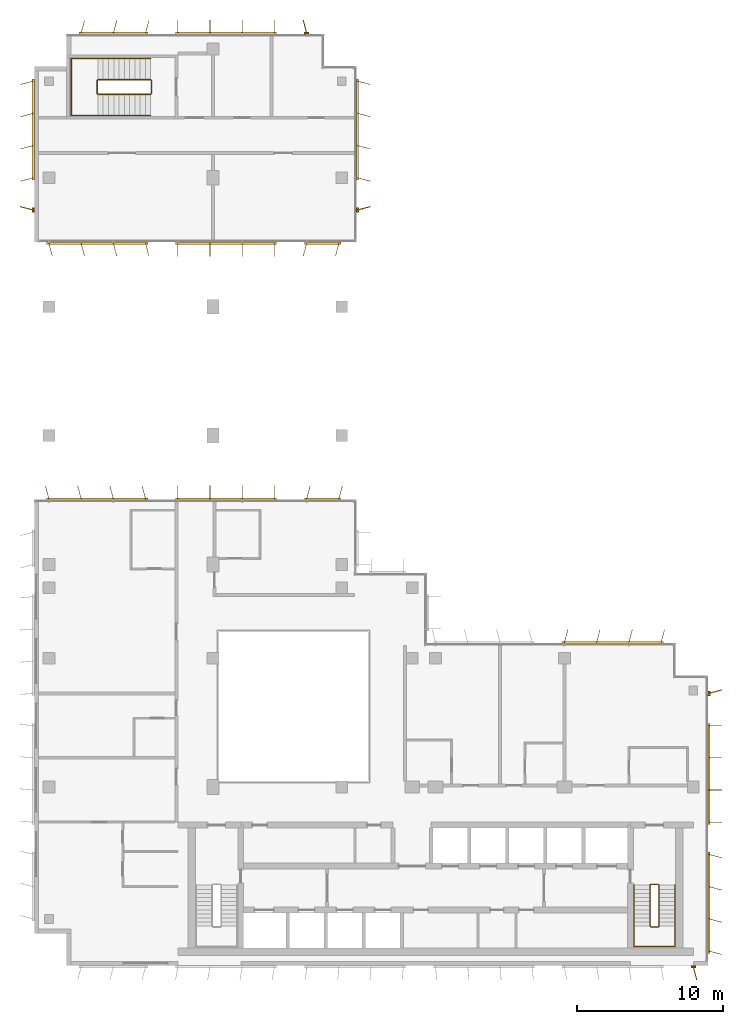
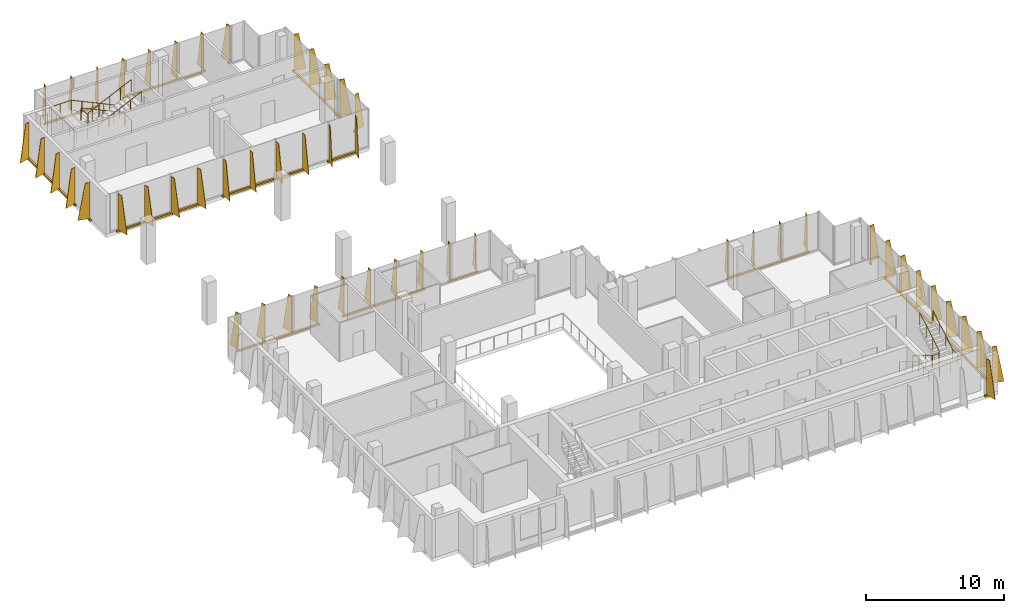
# One storey, part 14 of 14: 18 shading devices, 4 railings.
"""IFC4 building model written with IfcOpenShell, lengths in metres."""

from ifc_helpers import new_model, si_unit, direction, frame, origin, origin_2d, place, context, subcontext, project, spatial, polyline, rectangle, circle, outline, extrude, source, transform, mapped, material, layer, layer_set, type_object, element, save


model = new_model("IFC4")

# Units and contexts
model_context = context("Model", 3, precision=1e-05, world=origin(), true_north=direction((0.0, 1.0)))
body_context = subcontext(model_context, "Body", "Model", "MODEL_VIEW")
ifc_project = project(units=[si_unit("LENGTHUNIT", "METRE"), si_unit("AREAUNIT", "SQUARE_METRE"), si_unit("VOLUMEUNIT", "CUBIC_METRE"), si_unit("PLANEANGLEUNIT", "RADIAN"), si_unit("MASSUNIT", "GRAM", prefix="KILO")], contexts=[model_context])

# Site, building, storey
site_placement = place(None, origin())
site = spatial("IfcSite", under=ifc_project, at=site_placement, CompositionType="ELEMENT")
building_placement = place(site_placement, origin())
building = spatial("IfcBuilding", under=site, at=building_placement, Name="Kemantara Hotel Tower", CompositionType="ELEMENT")
storey_placement = place(building_placement, frame((0.0, 0.0, 245.0)))
storey = spatial("IfcBuildingStorey", under=building, at=storey_placement, Name="L61", CompositionType="ELEMENT", Elevation=245.0)

# Railings
ifc_material_1 = material(Name="Stainless steel balustrade", Category="steel")
railing_type_1 = type_object("IfcRailingType", Name="Stair guard 1100 mm", PredefinedType="GUARDRAIL", material=ifc_material_1)
railing_1_placement = place(storey_placement, frame((42.64990234375, 5.5, 3.699951171875)))
element("IfcRailing", 1, at=railing_1_placement, inside=storey, type_object=railing_type_1, Name="L61 ST2 stair guard 1", PredefinedType="GUARDRAIL", context=body_context, shape_type="SweptSolid", body=[
    extrude(circle(Radius=0.02392578125, at=origin_2d()), frame((0.0, 0.0, 1.076171875), z_axis=(0.0, -0.857242210791, -0.514913383045), x_axis=(1.0, 0.0, 0.0)), (0.0, 0.0, 1.0), 3.266357421875),
    extrude(circle(Radius=0.02392578125, at=origin_2d()), frame((0.0, -2.800048828125, -0.60595703125), z_axis=(-0.273343290215, -0.274683208305, -0.921863645432), x_axis=(0.708833529934, -0.705375805398, 0.0)), (0.0, 0.0, 1.0), 0.18212890625),
    extrude(circle(Radius=0.02392578125, at=origin_2d()), frame((-0.0498046875, -2.85009765625, -0.77392578125), z_axis=(-1.0, 0.0, 0.0), x_axis=(0.0, -1.0, 0.0)), (0.0, 0.0, 1.0), 0.5),
    extrude(circle(Radius=0.02392578125, at=origin_2d()), frame((-0.5498046875, -2.85009765625, -0.77392578125), z_axis=(-0.707106781187, 0.707106781187, 0.0), x_axis=(-0.707106781187, -0.707106781187, 0.0)), (0.0, 0.0, 1.0), 0.07080078125),
    extrude(circle(Radius=0.02392578125, at=origin_2d()), frame((-0.599853515625, -2.800048828125, -0.77392578125), z_axis=(0.0, 0.857242210791, -0.514913383045), x_axis=(-1.0, 0.0, 0.0)), (0.0, 0.0, 1.0), 3.266357421875),
    extrude(circle(Radius=0.02392578125, at=origin_2d()), frame((-0.599853515625, 0.0, -2.45556640625), z_axis=(0.274243871929, 0.274243871929, -0.92172696468), x_axis=(-0.707106781187, 0.707106781187, 0.0)), (0.0, 0.0, 1.0), 0.1826171875),
    extrude(circle(Radius=0.02392578125, at=origin_2d()), frame((-0.5498046875, 0.050048828125, -2.6240234375), z_axis=(1.0, 0.0, 0.0), x_axis=(0.0, 1.0, 0.0)), (0.0, 0.0, 1.0), 0.5),
    extrude(circle(Radius=0.02099609375, at=origin_2d()), origin(), (0.0, 0.0, 1.0), 1.052001953125),
    extrude(circle(Radius=0.02099609375, at=origin_2d()), frame((0.0, -0.933349609375, -0.560546875)), (0.0, 0.0, 1.0), 1.052001953125),
    extrude(circle(Radius=0.02099609375, at=origin_2d()), frame((0.0, -1.86669921875, -1.121337890625)), (0.0, 0.0, 1.0), 1.052001953125),
    extrude(circle(Radius=0.02099609375, at=origin_2d()), frame((0.0, -2.800048828125, -1.681884765625)), (0.0, 0.0, 1.0), 1.052001953125),
    extrude(circle(Radius=0.02099609375, at=origin_2d()), frame((-0.0498046875, -2.85009765625, -1.849853515625)), (0.0, 0.0, 1.0), 1.052001953125),
    extrude(circle(Radius=0.02099609375, at=origin_2d()), frame((-0.5498046875, -2.85009765625, -1.849853515625)), (0.0, 0.0, 1.0), 1.052001953125),
    extrude(circle(Radius=0.02099609375, at=origin_2d()), frame((-0.599853515625, -2.800048828125, -1.849853515625)), (0.0, 0.0, 1.0), 1.052001953125),
    extrude(circle(Radius=0.02099609375, at=origin_2d()), frame((-0.599853515625, -1.86669921875, -2.410400390625)), (0.0, 0.0, 1.0), 1.052001953125),
    extrude(circle(Radius=0.02099609375, at=origin_2d()), frame((-0.599853515625, -0.933349609375, -2.97119140625)), (0.0, 0.0, 1.0), 1.052001953125),
    extrude(circle(Radius=0.02099609375, at=origin_2d()), frame((-0.599853515625, 0.0, -3.53173828125)), (0.0, 0.0, 1.0), 1.052001953125),
    extrude(circle(Radius=0.02099609375, at=origin_2d()), frame((-0.5498046875, 0.050048828125, -3.699951171875)), (0.0, 0.0, 1.0), 1.052001953125),
    extrude(circle(Radius=0.02099609375, at=origin_2d()), frame((-0.0498046875, 0.050048828125, -3.699951171875)), (0.0, 0.0, 1.0), 1.052001953125),
])
railing_2_placement = place(storey_placement, frame((7.949951171875, 59.5, 3.699951171875)))
element("IfcRailing", 2, at=railing_2_placement, inside=storey, type_object=railing_type_1, Name="L61 ST4 stair guard 1", PredefinedType="GUARDRAIL", context=body_context, shape_type="SweptSolid", body=[
    extrude(circle(Radius=0.02392578125, at=origin_2d()), frame((0.0, 0.0, 1.076171875), z_axis=(-0.905994681025, 0.0, -0.423289071386), x_axis=(0.0, -1.0, 0.0)), (0.0, 0.0, 1.0), 3.973388671875),
    extrude(circle(Radius=0.02392578125, at=origin_2d()), frame((-3.599853515625, 0.0, -0.60595703125), z_axis=(-0.274582412415, 0.274582412415, -0.921525364591), x_axis=(-0.707106781187, -0.707106781187, 0.0)), (0.0, 0.0, 1.0), 0.182373046875),
    extrude(circle(Radius=0.02392578125, at=origin_2d()), frame((-3.64990234375, 0.050048828125, -0.77392578125), z_axis=(0.0, 1.0, 0.0), x_axis=(-1.0, 0.0, 0.0)), (0.0, 0.0, 1.0), 0.89990234375),
    extrude(circle(Radius=0.02392578125, at=origin_2d()), frame((-3.64990234375, 0.949951171875, -0.77392578125), z_axis=(0.707106781187, 0.707106781187, 0.0), x_axis=(-0.707106781187, 0.707106781187, 0.0)), (0.0, 0.0, 1.0), 0.07080078125),
    extrude(circle(Radius=0.02392578125, at=origin_2d()), frame((-3.599853515625, 1.0, -0.77392578125), z_axis=(0.905994681025, 0.0, -0.423289071386), x_axis=(0.0, 1.0, 0.0)), (0.0, 0.0, 1.0), 3.973388671875),
    extrude(circle(Radius=0.02392578125, at=origin_2d()), frame((0.0, 1.0, -2.45556640625), z_axis=(0.274243871929, -0.274243871929, -0.92172696468), x_axis=(0.707106781187, 0.707106781187, 0.0)), (0.0, 0.0, 1.0), 0.1826171875),
    extrude(circle(Radius=0.02392578125, at=origin_2d()), frame((0.050048828125, 0.949951171875, -2.6240234375), z_axis=(0.0, -1.0, 0.0), x_axis=(1.0, 0.0, 0.0)), (0.0, 0.0, 1.0), 0.89990234375),
    extrude(circle(Radius=0.02099609375, at=origin_2d()), origin(), (0.0, 0.0, 1.0), 1.052001953125),
    extrude(circle(Radius=0.02099609375, at=origin_2d()), frame((-0.89990234375, 0.0, -0.42041015625)), (0.0, 0.0, 1.0), 1.052001953125),
    extrude(circle(Radius=0.02099609375, at=origin_2d()), frame((-1.7998046875, 0.0, -0.8408203125)), (0.0, 0.0, 1.0), 1.052001953125),
    extrude(circle(Radius=0.02099609375, at=origin_2d()), frame((-2.699951171875, 0.0, -1.261474609375)), (0.0, 0.0, 1.0), 1.052001953125),
    extrude(circle(Radius=0.02099609375, at=origin_2d()), frame((-3.599853515625, 0.0, -1.681884765625)), (0.0, 0.0, 1.0), 1.052001953125),
    extrude(circle(Radius=0.02099609375, at=origin_2d()), frame((-3.64990234375, 0.050048828125, -1.849853515625)), (0.0, 0.0, 1.0), 1.052001953125),
    extrude(circle(Radius=0.02099609375, at=origin_2d()), frame((-3.64990234375, 0.949951171875, -1.849853515625)), (0.0, 0.0, 1.0), 1.052001953125),
    extrude(circle(Radius=0.02099609375, at=origin_2d()), frame((-3.599853515625, 1.0, -1.849853515625)), (0.0, 0.0, 1.0), 1.052001953125),
    extrude(circle(Radius=0.02099609375, at=origin_2d()), frame((-2.699951171875, 1.0, -2.270263671875)), (0.0, 0.0, 1.0), 1.052001953125),
    extrude(circle(Radius=0.02099609375, at=origin_2d()), frame((-1.7998046875, 1.0, -2.69091796875)), (0.0, 0.0, 1.0), 1.052001953125),
    extrude(circle(Radius=0.02099609375, at=origin_2d()), frame((-0.89990234375, 1.0, -3.111328125)), (0.0, 0.0, 1.0), 1.052001953125),
    extrude(circle(Radius=0.02099609375, at=origin_2d()), frame((0.0, 1.0, -3.53173828125)), (0.0, 0.0, 1.0), 1.052001953125),
    extrude(circle(Radius=0.02099609375, at=origin_2d()), frame((0.050048828125, 0.949951171875, -3.699951171875)), (0.0, 0.0, 1.0), 1.052001953125),
    extrude(circle(Radius=0.02099609375, at=origin_2d()), frame((0.050048828125, 0.050048828125, -3.699951171875)), (0.0, 0.0, 1.0), 1.052001953125),
])
railing_type_2 = type_object("IfcRailingType", Name="Stair handrail 900 mm", PredefinedType="HANDRAIL", material=ifc_material_1)
railing_3_placement = place(storey_placement, frame((40.949951171875, 5.5, 0.168212890625)))
element("IfcRailing", 3, at=railing_3_placement, inside=storey, type_object=railing_type_2, Name="L61 ST2 stair handrail 1", PredefinedType="HANDRAIL", context=body_context, shape_type="SweptSolid", body=[
    extrude(circle(Radius=0.02392578125, at=origin_2d()), frame((0.0, 0.0, 0.8759765625), z_axis=(0.0, -0.857242210791, 0.514913383045), x_axis=(1.0, 0.0, 0.0)), (0.0, 0.0, 1.0), 3.266357421875),
    extrude(circle(Radius=0.02392578125, at=origin_2d()), frame((0.0, -2.800048828125, 2.5576171875), z_axis=(0.0, -1.0, 0.0), x_axis=(1.0, 0.0, 0.0)), (0.0, 0.0, 1.0), 1.3798828125),
    extrude(circle(Radius=0.02392578125, at=origin_2d()), frame((0.0, -4.179931640625, 2.5576171875), z_axis=(0.998205573864, 0.0, 0.059880149518), x_axis=(0.0, 1.0, 0.0)), (0.0, 0.0, 1.0), 2.80517578125),
    extrude(circle(Radius=0.02392578125, at=origin_2d()), frame((2.800048828125, -4.179931640625, 2.7255859375), z_axis=(0.0, 1.0, 0.0), x_axis=(-1.0, 0.0, 0.0)), (0.0, 0.0, 1.0), 1.3798828125),
    extrude(circle(Radius=0.02392578125, at=origin_2d()), frame((2.800048828125, -2.800048828125, 2.7255859375), z_axis=(0.0, 0.857242210791, 0.514913383045), x_axis=(-1.0, 0.0, 0.0)), (0.0, 0.0, 1.0), 3.266357421875),
    extrude(circle(Radius=0.02099609375, at=origin_2d()), origin(), (0.0, 0.0, 1.0), 0.851806640625),
    extrude(circle(Radius=0.02099609375, at=origin_2d()), frame((0.0, -0.933349609375, 0.560546875)), (0.0, 0.0, 1.0), 0.851806640625),
    extrude(circle(Radius=0.02099609375, at=origin_2d()), frame((0.0, -1.86669921875, 1.121337890625)), (0.0, 0.0, 1.0), 0.851806640625),
    extrude(circle(Radius=0.02099609375, at=origin_2d()), frame((0.0, -2.800048828125, 1.681884765625)), (0.0, 0.0, 1.0), 0.851806640625),
    extrude(circle(Radius=0.02099609375, at=origin_2d()), frame((0.0, -3.489990234375, 1.681884765625)), (0.0, 0.0, 1.0), 0.851806640625),
    extrude(circle(Radius=0.02099609375, at=origin_2d()), frame((0.0, -4.179931640625, 1.681884765625)), (0.0, 0.0, 1.0), 0.851806640625),
    extrude(circle(Radius=0.02099609375, at=origin_2d()), frame((0.933349609375, -4.179931640625, 1.73779296875)), (0.0, 0.0, 1.0), 0.851806640625),
    extrude(circle(Radius=0.02099609375, at=origin_2d()), frame((1.86669921875, -4.179931640625, 1.7939453125)), (0.0, 0.0, 1.0), 0.851806640625),
    extrude(circle(Radius=0.02099609375, at=origin_2d()), frame((2.800048828125, -4.179931640625, 1.849853515625)), (0.0, 0.0, 1.0), 0.851806640625),
    extrude(circle(Radius=0.02099609375, at=origin_2d()), frame((2.800048828125, -3.489990234375, 1.849853515625)), (0.0, 0.0, 1.0), 0.851806640625),
    extrude(circle(Radius=0.02099609375, at=origin_2d()), frame((2.800048828125, -2.800048828125, 1.849853515625)), (0.0, 0.0, 1.0), 0.851806640625),
    extrude(circle(Radius=0.02099609375, at=origin_2d()), frame((2.800048828125, -1.86669921875, 2.410400390625)), (0.0, 0.0, 1.0), 0.851806640625),
    extrude(circle(Radius=0.02099609375, at=origin_2d()), frame((2.800048828125, -0.933349609375, 2.97119140625)), (0.0, 0.0, 1.0), 0.851806640625),
    extrude(circle(Radius=0.02099609375, at=origin_2d()), frame((2.800048828125, 0.0, 3.53173828125)), (0.0, 0.0, 1.0), 0.851806640625),
])
railing_4_placement = place(storey_placement, frame((7.949951171875, 61.949951171875, 0.168212890625)))
element("IfcRailing", 4, at=railing_4_placement, inside=storey, type_object=railing_type_2, Name="L61 ST4 stair handrail 1", PredefinedType="HANDRAIL", context=body_context, shape_type="SweptSolid", body=[
    extrude(circle(Radius=0.02392578125, at=origin_2d()), frame((0.0, 0.0, 0.8759765625), z_axis=(-0.905994681025, 0.0, 0.423289071386), x_axis=(0.0, -1.0, 0.0)), (0.0, 0.0, 1.0), 3.973388671875),
    extrude(circle(Radius=0.02392578125, at=origin_2d()), frame((-3.599853515625, 0.0, 2.5576171875), z_axis=(-1.0, 0.0, 0.0), x_axis=(0.0, -1.0, 0.0)), (0.0, 0.0, 1.0), 1.830078125),
    extrude(circle(Radius=0.02392578125, at=origin_2d()), frame((-5.429931640625, 0.0, 2.5576171875), z_axis=(0.0, -0.999073776461, 0.043030096294), x_axis=(1.0, 0.0, 0.0)), (0.0, 0.0, 1.0), 3.903564453125),
    extrude(circle(Radius=0.02392578125, at=origin_2d()), frame((-5.429931640625, -3.89990234375, 2.7255859375), z_axis=(1.0, 0.0, 0.0), x_axis=(0.0, 1.0, 0.0)), (0.0, 0.0, 1.0), 1.830078125),
    extrude(circle(Radius=0.02392578125, at=origin_2d()), frame((-3.599853515625, -3.89990234375, 2.7255859375), z_axis=(0.905994681025, 0.0, 0.423289071386), x_axis=(0.0, 1.0, 0.0)), (0.0, 0.0, 1.0), 3.973388671875),
    extrude(circle(Radius=0.02099609375, at=origin_2d()), origin(), (0.0, 0.0, 1.0), 0.851806640625),
    extrude(circle(Radius=0.02099609375, at=origin_2d()), frame((-0.89990234375, 0.0, 0.42041015625)), (0.0, 0.0, 1.0), 0.851806640625),
    extrude(circle(Radius=0.02099609375, at=origin_2d()), frame((-1.7998046875, 0.0, 0.8408203125)), (0.0, 0.0, 1.0), 0.851806640625),
    extrude(circle(Radius=0.02099609375, at=origin_2d()), frame((-2.699951171875, 0.0, 1.261474609375)), (0.0, 0.0, 1.0), 0.851806640625),
    extrude(circle(Radius=0.02099609375, at=origin_2d()), frame((-3.599853515625, 0.0, 1.681884765625)), (0.0, 0.0, 1.0), 0.851806640625),
    extrude(circle(Radius=0.02099609375, at=origin_2d()), frame((-4.514892578125, 0.0, 1.681884765625)), (0.0, 0.0, 1.0), 0.851806640625),
    extrude(circle(Radius=0.02099609375, at=origin_2d()), frame((-5.429931640625, 0.0, 1.681884765625)), (0.0, 0.0, 1.0), 0.851806640625),
    extrude(circle(Radius=0.02099609375, at=origin_2d()), frame((-5.429931640625, -0.97509765625, 1.723876953125)), (0.0, 0.0, 1.0), 0.851806640625),
    extrude(circle(Radius=0.02099609375, at=origin_2d()), frame((-5.429931640625, -1.949951171875, 1.765869140625)), (0.0, 0.0, 1.0), 0.851806640625),
    extrude(circle(Radius=0.02099609375, at=origin_2d()), frame((-5.429931640625, -2.9248046875, 1.807861328125)), (0.0, 0.0, 1.0), 0.851806640625),
    extrude(circle(Radius=0.02099609375, at=origin_2d()), frame((-5.429931640625, -3.89990234375, 1.849853515625)), (0.0, 0.0, 1.0), 0.851806640625),
    extrude(circle(Radius=0.02099609375, at=origin_2d()), frame((-4.514892578125, -3.89990234375, 1.849853515625)), (0.0, 0.0, 1.0), 0.851806640625),
    extrude(circle(Radius=0.02099609375, at=origin_2d()), frame((-3.599853515625, -3.89990234375, 1.849853515625)), (0.0, 0.0, 1.0), 0.851806640625),
    extrude(circle(Radius=0.02099609375, at=origin_2d()), frame((-2.699951171875, -3.89990234375, 2.270263671875)), (0.0, 0.0, 1.0), 0.851806640625),
    extrude(circle(Radius=0.02099609375, at=origin_2d()), frame((-1.7998046875, -3.89990234375, 2.69091796875)), (0.0, 0.0, 1.0), 0.851806640625),
    extrude(circle(Radius=0.02099609375, at=origin_2d()), frame((-0.89990234375, -3.89990234375, 3.111328125)), (0.0, 0.0, 1.0), 0.851806640625),
    extrude(circle(Radius=0.02099609375, at=origin_2d()), frame((0.0, -3.89990234375, 3.53173828125)), (0.0, 0.0, 1.0), 0.851806640625),
])

# Shading devices
ifc_material_2 = material(Name="Perforated aluminium plate 4 mm bronze anodised", Category="aluminium")
ifc_layer_1 = layer(ifc_material_2, 0.0400390625)
ifc_layer_set_1 = layer_set([ifc_layer_1], Name="Perforated aluminium plate 4 mm bronze anodised")
shading_device_type_1 = type_object("IfcShadingDeviceType", Name="SCREEN FIN CASSETTE, 3 BLADES AT -15.0 DEG, 3200 HIGH", PredefinedType="USERDEFINED", material=ifc_layer_set_1)
shared_shape_1 = source(origin(), body_context, "Body", "SweptSolid", [
    extrude(rectangle(XDim=4.699951171875, YDim=0.14990234375, at=origin_2d()), frame((2.199951171875, -0.074951171875, -0.14990234375), z_axis=(0.0, 0.0, 1.0), x_axis=(1.0, 0.0, 0.0)), (0.0, 0.0, 1.0), 0.14990234375),
    extrude(outline(polyline([(0.0, 0.0), (0.89990234375, 0.0), (0.35009765625, 3.199951171875), (0.0, 3.199951171875), (0.0, 0.0)])), frame((0.019287109375, -0.080078125, 0.0), z_axis=(-0.966437683387, 0.256901156343, 0.0), x_axis=(-0.256901156343, -0.966437683387, 0.0)), (0.0, 0.0, 1.0), 0.039794921875),
    extrude(outline(polyline([(0.0, 0.0), (0.89990234375, 0.0), (0.35009765625, 3.199951171875), (0.0, 3.199951171875), (0.0, 0.0)])), frame((2.21923828125, -0.080078125, 0.0), z_axis=(-0.966437683387, 0.256901156343, 0.0), x_axis=(-0.256901156343, -0.966437683387, 0.0)), (0.0, 0.0, 1.0), 0.039794921875),
    extrude(outline(polyline([(0.0, 0.0), (0.89990234375, 0.0), (0.35009765625, 3.199951171875), (0.0, 3.199951171875), (0.0, 0.0)])), frame((4.41943359375, -0.080078125, 0.0), z_axis=(-0.966837822169, 0.255391122837, 0.0), x_axis=(-0.255391122837, -0.966837822169, 0.0)), (0.0, 0.0, 1.0), 0.0400390625),
])
shading_device_1_placement = place(storey_placement, frame((7.60009765625, 63.60009765625, 0.10009765625), z_axis=(0.0, 0.0, 1.0), x_axis=(-1.0, 0.0, 0.0)))
element("IfcShadingDevice", 5, at=shading_device_1_placement, inside=storey, type_object=shading_device_type_1, Name="SCREEN FIN CASSETTE L61 T4P-R16-3", ObjectType="SCREEN FIN", PredefinedType="USERDEFINED", context=body_context, shape_type="MappedRepresentation", body=[
    mapped(shared_shape_1, transform((0.0, 0.0, 0.0))),
])
ifc_layer_2 = layer(ifc_material_2, 0.0400390625)
ifc_layer_set_2 = layer_set([ifc_layer_2], Name="Perforated aluminium plate 4 mm bronze anodised")
shading_device_type_2 = type_object("IfcShadingDeviceType", Name="SCREEN FIN CASSETTE, 4 BLADES AT +0.0 DEG, 3200 HIGH", PredefinedType="USERDEFINED", material=ifc_layer_set_2)
shared_shape_2 = source(origin(), body_context, "Body", "SweptSolid", [
    extrude(rectangle(XDim=6.89990234375, YDim=0.14990234375, at=origin_2d()), frame((3.300048828125, -0.074951171875, -0.14990234375), z_axis=(0.0, 0.0, 1.0), x_axis=(1.0, 0.0, 0.0)), (0.0, 0.0, 1.0), 0.14990234375),
    extrude(outline(polyline([(0.0, 0.0), (0.89990234375, 0.0), (0.35009765625, 3.199951171875), (0.0, 3.199951171875), (0.0, 0.0)])), frame((0.02001953125, -0.074951171875, 0.0), z_axis=(-1.0, 0.0, 0.0), x_axis=(0.0, -1.0, 0.0)), (0.0, 0.0, 1.0), 0.0400390625),
    extrude(outline(polyline([(0.0, 0.0), (0.89990234375, 0.0), (0.35009765625, 3.199951171875), (0.0, 3.199951171875), (0.0, 0.0)])), frame((2.219970703125, -0.074951171875, 0.0), z_axis=(-1.0, 0.0, 0.0), x_axis=(0.0, -1.0, 0.0)), (0.0, 0.0, 1.0), 0.0400390625),
    extrude(outline(polyline([(0.0, 0.0), (0.89990234375, 0.0), (0.35009765625, 3.199951171875), (0.0, 3.199951171875), (0.0, 0.0)])), frame((4.419921875, -0.074951171875, 0.0), z_axis=(-1.0, 0.0, 0.0), x_axis=(0.0, -1.0, 0.0)), (0.0, 0.0, 1.0), 0.0400390625),
    extrude(outline(polyline([(0.0, 0.0), (0.89990234375, 0.0), (0.35009765625, 3.199951171875), (0.0, 3.199951171875), (0.0, 0.0)])), frame((6.6201171875, -0.074951171875, 0.0), z_axis=(-1.0, 0.0, 0.0), x_axis=(0.0, -1.0, 0.0)), (0.0, 0.0, 1.0), 0.0400390625),
])
for number, where, z_axis, x_axis, name in (
    (6, (16.39990234375, 31.800048828125, 0.10009765625), (0.0, 0.0, 1.0), (-1.0, 0.0, 0.0), "SCREEN FIN CASSETTE L61 T4P-R01-2"),
    (7, (46.0, 9.800048828125, 0.10009765625), (0.0, 0.0, 1.0), (0.0, 1.0, 0.0), "SCREEN FIN CASSETTE L61 T4P-R06-2"),
    (8, (9.800048828125, 49.39990234375, 0.10009765625), (0.0, 0.0, 1.0), (1.0, 0.0, 0.0), "SCREEN FIN CASSETTE L61 T4P-R12-2"),
    (9, (16.39990234375, 63.60009765625, 0.10009765625), (0.0, 0.0, 1.0), (-1.0, 0.0, 0.0), "SCREEN FIN CASSETTE L61 T4P-R16-2"),
):
    element("IfcShadingDevice", number, at=place(storey_placement, frame(where, z_axis=z_axis, x_axis=x_axis)), inside=storey, type_object=shading_device_type_2, Name=name, ObjectType="SCREEN FIN", PredefinedType="USERDEFINED", context=body_context, shape_type="MappedRepresentation", body=[
        mapped(shared_shape_2, transform((0.0, 0.0, 0.0))),
    ])
ifc_layer_3 = layer(ifc_material_2, 0.0400390625)
ifc_layer_set_3 = layer_set([ifc_layer_3], Name="Perforated aluminium plate 4 mm bronze anodised")
shading_device_type_3 = type_object("IfcShadingDeviceType", Name="SCREEN FIN CASSETTE, 4 BLADES AT +15.0 DEG, 3200 HIGH", PredefinedType="USERDEFINED", material=ifc_layer_set_3)
shared_shape_3 = source(origin(), body_context, "Body", "SweptSolid", [
    extrude(rectangle(XDim=6.89990234375, YDim=0.14990234375, at=origin_2d()), frame((3.300048828125, -0.074951171875, -0.14990234375), z_axis=(0.0, 0.0, 1.0), x_axis=(1.0, 0.0, 0.0)), (0.0, 0.0, 1.0), 0.14990234375),
    extrude(outline(polyline([(0.0, 0.0), (0.89990234375, 0.0), (0.35009765625, 3.199951171875), (0.0, 3.199951171875), (0.0, 0.0)])), frame((0.019287109375, -0.06982421875, 0.0), z_axis=(-0.966437683387, -0.256901156343, 0.0), x_axis=(0.256901156343, -0.966437683387, 0.0)), (0.0, 0.0, 1.0), 0.039794921875),
    extrude(outline(polyline([(0.0, 0.0), (0.89990234375, 0.0), (0.35009765625, 3.199951171875), (0.0, 3.199951171875), (0.0, 0.0)])), frame((2.21923828125, -0.06982421875, 0.0), z_axis=(-0.966437683387, -0.256901156343, 0.0), x_axis=(0.256901156343, -0.966437683387, 0.0)), (0.0, 0.0, 1.0), 0.039794921875),
    extrude(outline(polyline([(0.0, 0.0), (0.89990234375, 0.0), (0.35009765625, 3.199951171875), (0.0, 3.199951171875), (0.0, 0.0)])), frame((4.41943359375, -0.06982421875, 0.0), z_axis=(-0.966837822169, -0.255391122837, 0.0), x_axis=(0.255391122837, -0.966837822169, 0.0)), (0.0, 0.0, 1.0), 0.0400390625),
    extrude(outline(polyline([(0.0, 0.0), (0.89990234375, 0.0), (0.35009765625, 3.199951171875), (0.0, 3.199951171875), (0.0, 0.0)])), frame((6.619384765625, -0.06982421875, 0.0), z_axis=(-0.966837822169, -0.255391122837, 0.0), x_axis=(0.255391122837, -0.966837822169, 0.0)), (0.0, 0.0, 1.0), 0.0400390625),
])
for number, where, z_axis, x_axis, name in (
    (10, (7.60009765625, 31.800048828125, 0.10009765625), (0.0, 0.0, 1.0), (-1.0, 0.0, 0.0), "SCREEN FIN CASSETTE L61 T4P-R01-3"),
    (11, (1.0, 49.39990234375, 0.10009765625), (0.0, 0.0, 1.0), (1.0, 0.0, 0.0), "SCREEN FIN CASSETTE L61 T4P-R12-1"),
    (12, (0.0, 60.39990234375, 0.10009765625), (0.0, 0.0, 1.0), (0.0, -1.0, 0.0), "SCREEN FIN CASSETTE L61 T4P-R19-1"),
):
    element("IfcShadingDevice", number, at=place(storey_placement, frame(where, z_axis=z_axis, x_axis=x_axis)), inside=storey, type_object=shading_device_type_3, Name=name, ObjectType="SCREEN FIN", PredefinedType="USERDEFINED", context=body_context, shape_type="MappedRepresentation", body=[
        mapped(shared_shape_3, transform((0.0, 0.0, 0.0))),
    ])
ifc_layer_4 = layer(ifc_material_2, 0.0400390625)
ifc_layer_set_4 = layer_set([ifc_layer_4], Name="Perforated aluminium plate 4 mm bronze anodised")
shading_device_type_4 = type_object("IfcShadingDeviceType", Name="SCREEN FIN CASSETTE, 4 BLADES AT -15.0 DEG, 3200 HIGH", PredefinedType="USERDEFINED", material=ifc_layer_set_4)
shared_shape_4 = source(origin(), body_context, "Body", "SweptSolid", [
    extrude(rectangle(XDim=6.89990234375, YDim=0.14990234375, at=origin_2d()), frame((3.300048828125, -0.074951171875, -0.14990234375), z_axis=(0.0, 0.0, 1.0), x_axis=(1.0, 0.0, 0.0)), (0.0, 0.0, 1.0), 0.14990234375),
    extrude(outline(polyline([(0.0, 0.0), (0.89990234375, 0.0), (0.35009765625, 3.199951171875), (0.0, 3.199951171875), (0.0, 0.0)])), frame((0.019287109375, -0.080078125, 0.0), z_axis=(-0.966437683387, 0.256901156343, 0.0), x_axis=(-0.256901156343, -0.966437683387, 0.0)), (0.0, 0.0, 1.0), 0.039794921875),
    extrude(outline(polyline([(0.0, 0.0), (0.89990234375, 0.0), (0.35009765625, 3.199951171875), (0.0, 3.199951171875), (0.0, 0.0)])), frame((2.21923828125, -0.080078125, 0.0), z_axis=(-0.966437683387, 0.256901156343, 0.0), x_axis=(-0.256901156343, -0.966437683387, 0.0)), (0.0, 0.0, 1.0), 0.039794921875),
    extrude(outline(polyline([(0.0, 0.0), (0.89990234375, 0.0), (0.35009765625, 3.199951171875), (0.0, 3.199951171875), (0.0, 0.0)])), frame((4.41943359375, -0.080078125, 0.0), z_axis=(-0.966837822169, 0.255391122837, 0.0), x_axis=(-0.255391122837, -0.966837822169, 0.0)), (0.0, 0.0, 1.0), 0.0400390625),
    extrude(outline(polyline([(0.0, 0.0), (0.89990234375, 0.0), (0.35009765625, 3.199951171875), (0.0, 3.199951171875), (0.0, 0.0)])), frame((6.619384765625, -0.080078125, 0.0), z_axis=(-0.966837822169, 0.255391122837, 0.0), x_axis=(-0.255391122837, -0.966837822169, 0.0)), (0.0, 0.0, 1.0), 0.0400390625),
])
for number, where, z_axis, x_axis, name in (
    (13, (46.0, 1.0, 0.10009765625), (0.0, 0.0, 1.0), (0.0, 1.0, 0.0), "SCREEN FIN CASSETTE L61 T4P-R06-1"),
    (14, (42.800048828125, 22.0, 0.10009765625), (0.0, 0.0, 1.0), (-1.0, 0.0, 0.0), "SCREEN FIN CASSETTE L61 T4P-R09-1"),
    (15, (22.0, 53.800048828125, 0.10009765625), (0.0, 0.0, 1.0), (0.0, 1.0, 0.0), "SCREEN FIN CASSETTE L61 T4P-R13-2"),
):
    element("IfcShadingDevice", number, at=place(storey_placement, frame(where, z_axis=z_axis, x_axis=x_axis)), inside=storey, type_object=shading_device_type_4, Name=name, ObjectType="SCREEN FIN", PredefinedType="USERDEFINED", context=body_context, shape_type="MappedRepresentation", body=[
        mapped(shared_shape_4, transform((0.0, 0.0, 0.0))),
    ])
ifc_layer_5 = layer(ifc_material_2, 0.0400390625)
ifc_layer_set_5 = layer_set([ifc_layer_5], Name="Perforated aluminium plate 4 mm bronze anodised")
shading_device_type_5 = type_object("IfcShadingDeviceType", Name="SCREEN FIN CASSETTE, 1 BLADE AT +15.0 DEG, 3200 HIGH", PredefinedType="USERDEFINED", material=ifc_layer_set_5)
shared_shape_5 = source(origin(), body_context, "Body", "SweptSolid", [
    extrude(rectangle(XDim=0.300048828125, YDim=0.14990234375, at=origin_2d()), frame((0.0, -0.074951171875, -0.14990234375), z_axis=(0.0, 0.0, 1.0), x_axis=(1.0, 0.0, 0.0)), (0.0, 0.0, 1.0), 0.14990234375),
    extrude(outline(polyline([(0.0, 0.0), (0.89990234375, 0.0), (0.35009765625, 3.199951171875), (0.0, 3.199951171875), (0.0, 0.0)])), frame((0.019287109375, -0.06982421875, 0.0), z_axis=(-0.966437683387, -0.256901156343, 0.0), x_axis=(0.256901156343, -0.966437683387, 0.0)), (0.0, 0.0, 1.0), 0.039794921875),
])
for number, where, z_axis, x_axis, name in (
    (16, (45.0, 0.0, 0.10009765625), (0.0, 0.0, 1.0), (1.0, 0.0, 0.0), "SCREEN FIN CASSETTE L61 T4P-R05-6"),
    (17, (46.0, 18.60009765625, 0.10009765625), (0.0, 0.0, 1.0), (0.0, 1.0, 0.0), "SCREEN FIN CASSETTE L61 T4P-R06-3"),
    (18, (22.0, 51.60009765625, 0.10009765625), (0.0, 0.0, 1.0), (0.0, 1.0, 0.0), "SCREEN FIN CASSETTE L61 T4P-R13-1"),
    (19, (18.60009765625, 63.60009765625, 0.10009765625), (0.0, 0.0, 1.0), (-1.0, 0.0, 0.0), "SCREEN FIN CASSETTE L61 T4P-R16-1"),
):
    element("IfcShadingDevice", number, at=place(storey_placement, frame(where, z_axis=z_axis, x_axis=x_axis)), inside=storey, type_object=shading_device_type_5, Name=name, ObjectType="SCREEN FIN", PredefinedType="USERDEFINED", context=body_context, shape_type="MappedRepresentation", body=[
        mapped(shared_shape_5, transform((0.0, 0.0, 0.0))),
    ])
ifc_layer_6 = layer(ifc_material_2, 0.0400390625)
ifc_layer_set_6 = layer_set([ifc_layer_6], Name="Perforated aluminium plate 4 mm bronze anodised")
shading_device_type_6 = type_object("IfcShadingDeviceType", Name="SCREEN FIN CASSETTE, 2 BLADES AT -15.0 DEG, 3200 HIGH", PredefinedType="USERDEFINED", material=ifc_layer_set_6)
shared_shape_6 = source(origin(), body_context, "Body", "SweptSolid", [
    extrude(rectangle(XDim=2.5, YDim=0.14990234375, at=origin_2d()), frame((1.10009765625, -0.074951171875, -0.14990234375), z_axis=(0.0, 0.0, 1.0), x_axis=(1.0, 0.0, 0.0)), (0.0, 0.0, 1.0), 0.14990234375),
    extrude(outline(polyline([(0.0, 0.0), (0.89990234375, 0.0), (0.35009765625, 3.199951171875), (0.0, 3.199951171875), (0.0, 0.0)])), frame((0.019287109375, -0.080078125, 0.0), z_axis=(-0.966437683387, 0.256901156343, 0.0), x_axis=(-0.256901156343, -0.966437683387, 0.0)), (0.0, 0.0, 1.0), 0.039794921875),
    extrude(outline(polyline([(0.0, 0.0), (0.89990234375, 0.0), (0.35009765625, 3.199951171875), (0.0, 3.199951171875), (0.0, 0.0)])), frame((2.21923828125, -0.080078125, 0.0), z_axis=(-0.966437683387, 0.256901156343, 0.0), x_axis=(-0.256901156343, -0.966437683387, 0.0)), (0.0, 0.0, 1.0), 0.039794921875),
])
for number, where, z_axis, x_axis, name in (
    (20, (20.800048828125, 31.800048828125, 0.10009765625), (0.0, 0.0, 1.0), (-1.0, 0.0, 0.0), "SCREEN FIN CASSETTE L61 T4P-R01-1"),
    (21, (18.60009765625, 49.39990234375, 0.10009765625), (0.0, 0.0, 1.0), (1.0, 0.0, 0.0), "SCREEN FIN CASSETTE L61 T4P-R12-3"),
):
    element("IfcShadingDevice", number, at=place(storey_placement, frame(where, z_axis=z_axis, x_axis=x_axis)), inside=storey, type_object=shading_device_type_6, Name=name, ObjectType="SCREEN FIN", PredefinedType="USERDEFINED", context=body_context, shape_type="MappedRepresentation", body=[
        mapped(shared_shape_6, transform((0.0, 0.0, 0.0))),
    ])
ifc_layer_7 = layer(ifc_material_2, 0.0400390625)
ifc_layer_set_7 = layer_set([ifc_layer_7], Name="Perforated aluminium plate 4 mm bronze anodised")
shading_device_type_7 = type_object("IfcShadingDeviceType", Name="SCREEN FIN CASSETTE, 1 BLADE AT -15.0 DEG, 3200 HIGH", PredefinedType="USERDEFINED", material=ifc_layer_set_7)
shared_shape_7 = source(origin(), body_context, "Body", "SweptSolid", [
    extrude(rectangle(XDim=0.300048828125, YDim=0.14990234375, at=origin_2d()), frame((0.0, -0.074951171875, -0.14990234375), z_axis=(0.0, 0.0, 1.0), x_axis=(1.0, 0.0, 0.0)), (0.0, 0.0, 1.0), 0.14990234375),
    extrude(outline(polyline([(0.0, 0.0), (0.89990234375, 0.0), (0.35009765625, 3.199951171875), (0.0, 3.199951171875), (0.0, 0.0)])), frame((0.019287109375, -0.080078125, 0.0), z_axis=(-0.966437683387, 0.256901156343, 0.0), x_axis=(-0.256901156343, -0.966437683387, 0.0)), (0.0, 0.0, 1.0), 0.039794921875),
])
shading_device_2_placement = place(storey_placement, frame((0.0, 51.60009765625, 0.10009765625), z_axis=(0.0, 0.0, 1.0), x_axis=(0.0, -1.0, 0.0)))
element("IfcShadingDevice", 22, at=shading_device_2_placement, inside=storey, type_object=shading_device_type_7, Name="SCREEN FIN CASSETTE L61 T4P-R19-2", ObjectType="SCREEN FIN", PredefinedType="USERDEFINED", context=body_context, shape_type="MappedRepresentation", body=[
    mapped(shared_shape_7, transform((0.0, 0.0, 0.0))),
])

save(model, "model.ifc")
